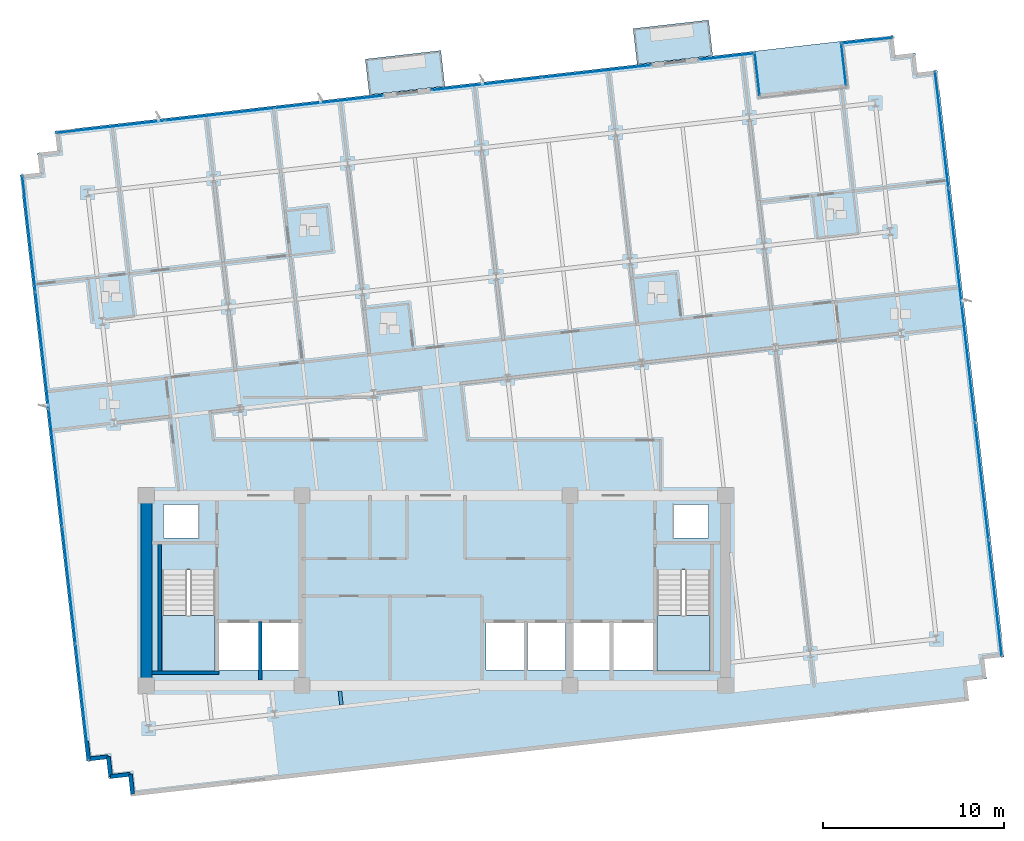
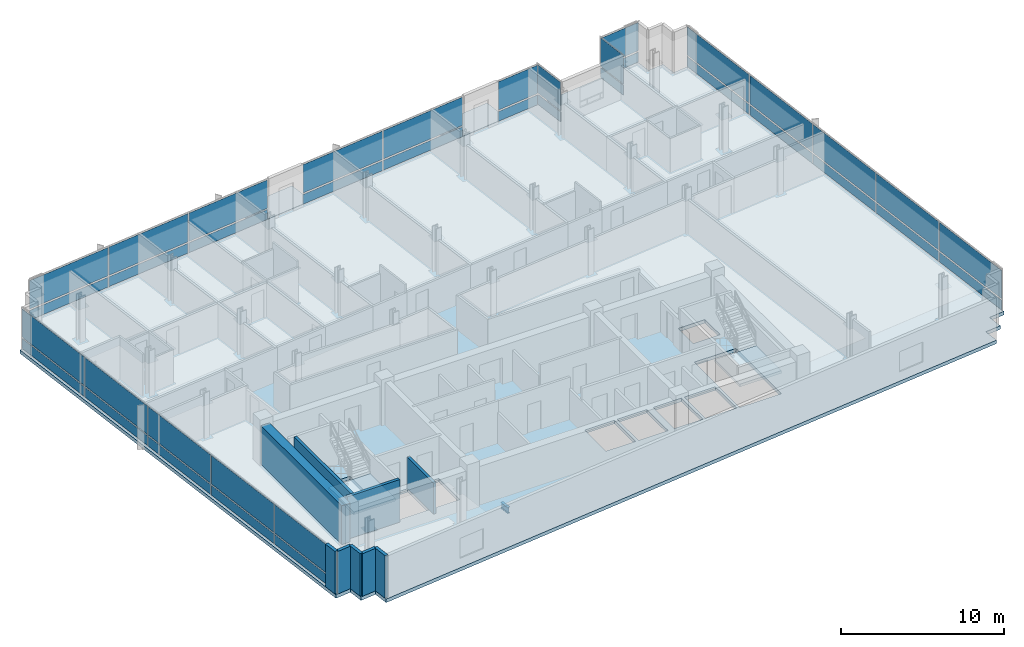
# One storey, part 8 of 16: 38 plates, 9 walls, 5 slabs, 1 beam, 10 elements without a shape of their own.
"""IFC4 building model written with IfcOpenShell, lengths in metres."""

from ifc_helpers import new_model, si_unit, direction, frame, frame_2d, origin, origin_2d, place, context, subcontext, project, spatial, polyline, rectangle, i_section, outline, extrude, material, layer, layer_set, material_profile, profile_set, type_object, element, aggregate, save


model = new_model("IFC4")

# Units and contexts
model_context = context("Model", 3, precision=1e-05, world=origin(), true_north=direction((0.0, 1.0)))
body_context = subcontext(model_context, "Body", "Model", "MODEL_VIEW")
ifc_project = project(units=[si_unit("LENGTHUNIT", "METRE"), si_unit("AREAUNIT", "SQUARE_METRE"), si_unit("VOLUMEUNIT", "CUBIC_METRE"), si_unit("PLANEANGLEUNIT", "RADIAN"), si_unit("MASSUNIT", "GRAM", prefix="KILO")], contexts=[model_context])

# Site, building, storey
site_placement = place(None, origin())
site = spatial("IfcSite", under=ifc_project, at=site_placement, CompositionType="ELEMENT")
building_placement = place(site_placement, origin())
building = spatial("IfcBuilding", under=site, at=building_placement, Name="Solmavex Isthmus Hotel", CompositionType="ELEMENT")
storey_placement = place(building_placement, frame((0.0, 0.0, 219.300048828125)))
storey = spatial("IfcBuildingStorey", under=building, at=storey_placement, Name="L59", CompositionType="ELEMENT", Elevation=219.300048828125)

# Beam
ifc_material_1 = material(Name="Steel ASTM A992 Grade 50", Category="steel")
ifc_material_profile = material_profile(ifc_material_1, i_section(OverallWidth=0.1904296875, OverallDepth=0.456787109375, WebThickness=0.009033203125, FlangeThickness=0.014404296875, FilletRadius=0.0126953125, at=origin_2d()), Name="W18X50")
ifc_profile_set = profile_set([ifc_material_profile], Name="Steel ASTM A992 Grade 50")
beam_type = type_object("IfcBeamType", Name="BM-BJ-W18X50", PredefinedType="JOIST", material=ifc_profile_set)
beam_placement = place(storey_placement, frame((-5.2236328125, -14.05419921875, -0.488525390625), z_axis=(-0.112902470797, 0.993606074905, 0.0), x_axis=(-0.993606074905, -0.112902470797, 0.0)))
element("IfcBeam", 1, at=beam_placement, inside=storey, type_object=beam_type, Name="Secondary Floor Joist L59-J05", PredefinedType="JOIST", context=body_context, shape_type="SweptSolid", body=[
    extrude(i_section(OverallWidth=0.1904296875, OverallDepth=0.456787109375, WebThickness=0.009033203125, FlangeThickness=0.014404296875, FilletRadius=0.0126953125, at=origin_2d()), origin(), (0.0, 0.0, 1.0), 0.759033203125),
])

# Curtain wall, plates
ifc_material_2 = material(Name="Aluminium alloy 6063-T6", Category="aluminium")
curtain_wall_type = type_object("IfcCurtainWallType", Name="CW-SYS-06", PredefinedType="NOTDEFINED", material=ifc_material_2)
curtain_wall_1_placement = place(storey_placement, origin())
curtain_wall_1 = element("IfcCurtainWall", 2, at=curtain_wall_1_placement, inside=storey, type_object=curtain_wall_type, Name="Stick Curtain Wall CWL-L59-SGW", PredefinedType="NOTDEFINED")
ifc_material_3 = material(Name="Clear low-E laminated glass", Category="glass")
ifc_layer_1 = layer(ifc_material_3, 0.028076171875)
ifc_layer_set_1 = layer_set([ifc_layer_1], Name="Clear low-E laminated glass")
plate_type = type_object("IfcPlateType", Name="CW-SYS-06-PNL", PredefinedType="CURTAIN_PANEL", material=ifc_layer_set_1)
plate_1_placement = place(storey_placement, frame((17.748046875, 20.795166015625, 0.114990234375), z_axis=(0.0, 0.0, 1.0), x_axis=(-0.113201551883, 0.993572045023, 0.0)))
plate_1 = element("IfcPlate", 3, at=plate_1_placement, type_object=plate_type, Name="CW-06 panel 1.1", PredefinedType="CURTAIN_PANEL", context=body_context, shape_type="SweptSolid", body=[
    extrude(rectangle(XDim=2.360107421875, YDim=0.028076171875, at=origin_2d()), origin(), (0.0, 0.0, 1.0), 0.7275390625),
])
plate_2_placement = place(storey_placement, frame((17.748046875, 20.795166015625, 0.95751953125), z_axis=(0.0, 0.0, 1.0), x_axis=(-0.113201551883, 0.993572045023, 0.0)))
plate_2 = element("IfcPlate", 4, at=plate_2_placement, type_object=plate_type, Name="CW-06 panel 1.2", PredefinedType="CURTAIN_PANEL", context=body_context, shape_type="SweptSolid", body=[
    extrude(rectangle(XDim=2.360107421875, YDim=0.028076171875, at=origin_2d()), origin(), (0.0, 0.0, 1.0), 2.117431640625),
])
aggregate(curtain_wall_1, [plate_1, plate_2])

curtain_wall_2_placement = place(storey_placement, origin())
curtain_wall_2 = element("IfcCurtainWall", 5, at=curtain_wall_2_placement, inside=storey, type_object=curtain_wall_type, Name="Stick Curtain Wall CWL-L59-SGE", PredefinedType="NOTDEFINED")
plate_3_placement = place(storey_placement, frame((22.517333984375, 21.338623046875, 0.114990234375), z_axis=(0.0, 0.0, 1.0), x_axis=(-0.113201551883, 0.993572045023, 0.0)))
plate_3 = element("IfcPlate", 6, at=plate_3_placement, type_object=plate_type, Name="CW-06 panel 1.1", PredefinedType="CURTAIN_PANEL", context=body_context, shape_type="SweptSolid", body=[
    extrude(rectangle(XDim=2.360107421875, YDim=0.028076171875, at=origin_2d()), origin(), (0.0, 0.0, 1.0), 0.7275390625),
])
plate_4_placement = place(storey_placement, frame((22.517333984375, 21.338623046875, 0.95751953125), z_axis=(0.0, 0.0, 1.0), x_axis=(-0.113201551883, 0.993572045023, 0.0)))
plate_4 = element("IfcPlate", 7, at=plate_4_placement, type_object=plate_type, Name="CW-06 panel 1.2", PredefinedType="CURTAIN_PANEL", context=body_context, shape_type="SweptSolid", body=[
    extrude(rectangle(XDim=2.360107421875, YDim=0.028076171875, at=origin_2d()), origin(), (0.0, 0.0, 1.0), 2.117431640625),
])
aggregate(curtain_wall_2, [plate_3, plate_4])

curtain_wall_3_placement = place(storey_placement, origin())
curtain_wall_3 = element("IfcCurtainWall", 8, at=curtain_wall_3_placement, inside=storey, type_object=curtain_wall_type, Name="Stick Curtain Wall CWL-L59-N1", PredefinedType="NOTDEFINED")
plate_5_placement = place(storey_placement, frame((-17.989501953125, 17.870849609375, 0.114990234375), z_axis=(0.0, 0.0, 1.0), x_axis=(0.993571885329, 0.113202953513, 0.0)))
plate_5 = element("IfcPlate", 9, at=plate_5_placement, type_object=plate_type, Name="CW-06 panel 1.1", PredefinedType="CURTAIN_PANEL", context=body_context, shape_type="SweptSolid", body=[
    extrude(rectangle(XDim=6.00244140625, YDim=0.028076171875, at=origin_2d()), origin(), (0.0, 0.0, 1.0), 0.7275390625),
])
plate_6_placement = place(storey_placement, frame((-17.989501953125, 17.870849609375, 0.95751953125), z_axis=(0.0, 0.0, 1.0), x_axis=(0.993571885329, 0.113202953513, 0.0)))
plate_6 = element("IfcPlate", 10, at=plate_6_placement, type_object=plate_type, Name="CW-06 panel 1.2", PredefinedType="CURTAIN_PANEL", context=body_context, shape_type="SweptSolid", body=[
    extrude(rectangle(XDim=6.00244140625, YDim=0.028076171875, at=origin_2d()), origin(), (0.0, 0.0, 1.0), 2.117431640625),
])
plate_7_placement = place(storey_placement, frame((-11.951171875, 18.558837890625, 0.114990234375), z_axis=(0.0, 0.0, 1.0), x_axis=(0.993571885329, 0.113202953513, 0.0)))
plate_7 = element("IfcPlate", 11, at=plate_7_placement, type_object=plate_type, Name="CW-06 panel 2.1", PredefinedType="CURTAIN_PANEL", context=body_context, shape_type="SweptSolid", body=[
    extrude(rectangle(XDim=6.0322265625, YDim=0.028076171875, at=origin_2d()), origin(), (0.0, 0.0, 1.0), 0.7275390625),
])
plate_8_placement = place(storey_placement, frame((-11.951171875, 18.558837890625, 0.95751953125), z_axis=(0.0, 0.0, 1.0), x_axis=(0.993571885329, 0.113202953513, 0.0)))
plate_8 = element("IfcPlate", 12, at=plate_8_placement, type_object=plate_type, Name="CW-06 panel 2.2", PredefinedType="CURTAIN_PANEL", context=body_context, shape_type="SweptSolid", body=[
    extrude(rectangle(XDim=6.0322265625, YDim=0.028076171875, at=origin_2d()), origin(), (0.0, 0.0, 1.0), 2.117431640625),
])
plate_9_placement = place(storey_placement, frame((-5.912841796875, 19.24658203125, 0.114990234375), z_axis=(0.0, 0.0, 1.0), x_axis=(0.993571885329, 0.113202953513, 0.0)))
plate_9 = element("IfcPlate", 13, at=plate_9_placement, type_object=plate_type, Name="CW-06 panel 3.1", PredefinedType="CURTAIN_PANEL", context=body_context, shape_type="SweptSolid", body=[
    extrude(rectangle(XDim=6.00244140625, YDim=0.028076171875, at=origin_2d()), origin(), (0.0, 0.0, 1.0), 0.7275390625),
])
plate_10_placement = place(storey_placement, frame((-5.912841796875, 19.24658203125, 0.95751953125), z_axis=(0.0, 0.0, 1.0), x_axis=(0.993571885329, 0.113202953513, 0.0)))
plate_10 = element("IfcPlate", 14, at=plate_10_placement, type_object=plate_type, Name="CW-06 panel 3.2", PredefinedType="CURTAIN_PANEL", context=body_context, shape_type="SweptSolid", body=[
    extrude(rectangle(XDim=6.00244140625, YDim=0.028076171875, at=origin_2d()), origin(), (0.0, 0.0, 1.0), 2.117431640625),
])
aggregate(curtain_wall_3, [plate_5, plate_6, plate_7, plate_8, plate_9, plate_10])

curtain_wall_4_placement = place(storey_placement, origin())
curtain_wall_4 = element("IfcCurtainWall", 15, at=curtain_wall_4_placement, inside=storey, type_object=curtain_wall_type, Name="Stick Curtain Wall CWL-L59-N2", PredefinedType="NOTDEFINED")
plate_11_placement = place(storey_placement, frame((2.780029296875, 20.237060546875, 0.114990234375), z_axis=(0.0, 0.0, 1.0), x_axis=(0.993571896348, 0.113202856801, 0.0)))
plate_11 = element("IfcPlate", 16, at=plate_11_placement, type_object=plate_type, Name="CW-06 panel 1.1", PredefinedType="CURTAIN_PANEL", context=body_context, shape_type="SweptSolid", body=[
    extrude(rectangle(XDim=6.055908203125, YDim=0.028076171875, at=origin_2d()), origin(), (0.0, 0.0, 1.0), 0.7275390625),
])
plate_12_placement = place(storey_placement, frame((2.780029296875, 20.237060546875, 0.95751953125), z_axis=(0.0, 0.0, 1.0), x_axis=(0.993571896348, 0.113202856801, 0.0)))
plate_12 = element("IfcPlate", 17, at=plate_12_placement, type_object=plate_type, Name="CW-06 panel 1.2", PredefinedType="CURTAIN_PANEL", context=body_context, shape_type="SweptSolid", body=[
    extrude(rectangle(XDim=6.055908203125, YDim=0.028076171875, at=origin_2d()), origin(), (0.0, 0.0, 1.0), 2.117431640625),
])
plate_13_placement = place(storey_placement, frame((8.856689453125, 20.929443359375, 0.114990234375), z_axis=(0.0, 0.0, 1.0), x_axis=(0.993571896348, 0.113202856801, 0.0)))
plate_13 = element("IfcPlate", 18, at=plate_13_placement, type_object=plate_type, Name="CW-06 panel 2.1", PredefinedType="CURTAIN_PANEL", context=body_context, shape_type="SweptSolid", body=[
    extrude(rectangle(XDim=6.055908203125, YDim=0.028076171875, at=origin_2d()), origin(), (0.0, 0.0, 1.0), 0.7275390625),
])
plate_14_placement = place(storey_placement, frame((8.856689453125, 20.929443359375, 0.95751953125), z_axis=(0.0, 0.0, 1.0), x_axis=(0.993571896348, 0.113202856801, 0.0)))
plate_14 = element("IfcPlate", 19, at=plate_14_placement, type_object=plate_type, Name="CW-06 panel 2.2", PredefinedType="CURTAIN_PANEL", context=body_context, shape_type="SweptSolid", body=[
    extrude(rectangle(XDim=6.055908203125, YDim=0.028076171875, at=origin_2d()), origin(), (0.0, 0.0, 1.0), 2.117431640625),
])
aggregate(curtain_wall_4, [plate_11, plate_12, plate_13, plate_14])

curtain_wall_5_placement = place(storey_placement, origin())
curtain_wall_5 = element("IfcCurtainWall", 20, at=curtain_wall_5_placement, inside=storey, type_object=curtain_wall_type, Name="Stick Curtain Wall CWL-L59-N3", PredefinedType="NOTDEFINED")
plate_15_placement = place(storey_placement, frame((16.063720703125, 21.75048828125, 0.114990234375), z_axis=(0.0, 0.0, 1.0), x_axis=(0.993571855862, 0.113203212138, 0.0)))
plate_15 = element("IfcPlate", 21, at=plate_15_placement, type_object=plate_type, Name="CW-06 panel 1.1", PredefinedType="CURTAIN_PANEL", context=body_context, shape_type="SweptSolid", body=[
    extrude(rectangle(XDim=3.010986328125, YDim=0.028076171875, at=origin_2d()), origin(), (0.0, 0.0, 1.0), 0.7275390625),
])
plate_16_placement = place(storey_placement, frame((16.063720703125, 21.75048828125, 0.95751953125), z_axis=(0.0, 0.0, 1.0), x_axis=(0.993571855862, 0.113203212138, 0.0)))
plate_16 = element("IfcPlate", 22, at=plate_16_placement, type_object=plate_type, Name="CW-06 panel 1.2", PredefinedType="CURTAIN_PANEL", context=body_context, shape_type="SweptSolid", body=[
    extrude(rectangle(XDim=3.010986328125, YDim=0.028076171875, at=origin_2d()), origin(), (0.0, 0.0, 1.0), 2.117431640625),
])
aggregate(curtain_wall_5, [plate_15, plate_16])

curtain_wall_6_placement = place(storey_placement, origin())
curtain_wall_6 = element("IfcCurtainWall", 23, at=curtain_wall_6_placement, inside=storey, type_object=curtain_wall_type, Name="Stick Curtain Wall CWL-L59-N4", PredefinedType="NOTDEFINED")
plate_17_placement = place(storey_placement, frame((23.828857421875, 22.63525390625, 0.114990234375), z_axis=(0.0, 0.0, 1.0), x_axis=(0.993571836452, 0.113203382497, 0.0)))
plate_17 = element("IfcPlate", 24, at=plate_17_placement, type_object=plate_type, Name="CW-06 panel 1.1", PredefinedType="CURTAIN_PANEL", context=body_context, shape_type="SweptSolid", body=[
    extrude(rectangle(XDim=2.780029296875, YDim=0.028076171875, at=origin_2d()), origin(), (0.0, 0.0, 1.0), 0.7275390625),
])
plate_18_placement = place(storey_placement, frame((23.828857421875, 22.63525390625, 0.95751953125), z_axis=(0.0, 0.0, 1.0), x_axis=(0.993571836452, 0.113203382497, 0.0)))
plate_18 = element("IfcPlate", 25, at=plate_18_placement, type_object=plate_type, Name="CW-06 panel 1.2", PredefinedType="CURTAIN_PANEL", context=body_context, shape_type="SweptSolid", body=[
    extrude(rectangle(XDim=2.780029296875, YDim=0.028076171875, at=origin_2d()), origin(), (0.0, 0.0, 1.0), 2.117431640625),
])
aggregate(curtain_wall_6, [plate_17, plate_18])

curtain_wall_7_placement = place(storey_placement, origin())
curtain_wall_7 = element("IfcCurtainWall", 26, at=curtain_wall_7_placement, inside=storey, type_object=curtain_wall_type, Name="Stick Curtain Wall CWL-L59-W1", PredefinedType="NOTDEFINED")
plate_19_placement = place(storey_placement, frame((-19.54248046875, -13.914306640625, 0.114990234375), z_axis=(0.0, 0.0, 1.0), x_axis=(-0.11320338078, 0.993571836648, 0.0)))
plate_19 = element("IfcPlate", 27, at=plate_19_placement, type_object=plate_type, Name="CW-06 panel 1.1", PredefinedType="CURTAIN_PANEL", context=body_context, shape_type="SweptSolid", body=[
    extrude(rectangle(XDim=6.429931640625, YDim=0.028076171875, at=origin_2d()), origin(), (0.0, 0.0, 1.0), 0.7275390625),
])
plate_20_placement = place(storey_placement, frame((-19.54248046875, -13.914306640625, 0.95751953125), z_axis=(0.0, 0.0, 1.0), x_axis=(-0.11320338078, 0.993571836648, 0.0)))
plate_20 = element("IfcPlate", 28, at=plate_20_placement, type_object=plate_type, Name="CW-06 panel 1.2", PredefinedType="CURTAIN_PANEL", context=body_context, shape_type="SweptSolid", body=[
    extrude(rectangle(XDim=6.429931640625, YDim=0.028076171875, at=origin_2d()), origin(), (0.0, 0.0, 1.0), 2.117431640625),
])
plate_21_placement = place(storey_placement, frame((-20.27880859375, -7.451171875, 0.114990234375), z_axis=(0.0, 0.0, 1.0), x_axis=(-0.11320338078, 0.993571836648, 0.0)))
plate_21 = element("IfcPlate", 29, at=plate_21_placement, type_object=plate_type, Name="CW-06 panel 2.1", PredefinedType="CURTAIN_PANEL", context=body_context, shape_type="SweptSolid", body=[
    extrude(rectangle(XDim=6.4599609375, YDim=0.028076171875, at=origin_2d()), origin(), (0.0, 0.0, 1.0), 0.7275390625),
])
plate_22_placement = place(storey_placement, frame((-20.27880859375, -7.451171875, 0.95751953125), z_axis=(0.0, 0.0, 1.0), x_axis=(-0.11320338078, 0.993571836648, 0.0)))
plate_22 = element("IfcPlate", 30, at=plate_22_placement, type_object=plate_type, Name="CW-06 panel 2.2", PredefinedType="CURTAIN_PANEL", context=body_context, shape_type="SweptSolid", body=[
    extrude(rectangle(XDim=6.4599609375, YDim=0.028076171875, at=origin_2d()), origin(), (0.0, 0.0, 1.0), 2.117431640625),
])
plate_23_placement = place(storey_placement, frame((-21.016845703125, -0.97314453125, 0.114990234375), z_axis=(0.0, 0.0, 1.0), x_axis=(-0.11320338078, 0.993571836648, 0.0)))
plate_23 = element("IfcPlate", 31, at=plate_23_placement, type_object=plate_type, Name="CW-06 panel 3.1", PredefinedType="CURTAIN_PANEL", context=body_context, shape_type="SweptSolid", body=[
    extrude(rectangle(XDim=6.4599609375, YDim=0.028076171875, at=origin_2d()), origin(), (0.0, 0.0, 1.0), 0.7275390625),
])
plate_24_placement = place(storey_placement, frame((-21.016845703125, -0.97314453125, 0.95751953125), z_axis=(0.0, 0.0, 1.0), x_axis=(-0.11320338078, 0.993571836648, 0.0)))
plate_24 = element("IfcPlate", 32, at=plate_24_placement, type_object=plate_type, Name="CW-06 panel 3.2", PredefinedType="CURTAIN_PANEL", context=body_context, shape_type="SweptSolid", body=[
    extrude(rectangle(XDim=6.4599609375, YDim=0.028076171875, at=origin_2d()), origin(), (0.0, 0.0, 1.0), 2.117431640625),
])
plate_25_placement = place(storey_placement, frame((-21.7548828125, 5.5048828125, 0.114990234375), z_axis=(0.0, 0.0, 1.0), x_axis=(-0.11320338078, 0.993571836648, 0.0)))
plate_25 = element("IfcPlate", 33, at=plate_25_placement, type_object=plate_type, Name="CW-06 panel 4.1", PredefinedType="CURTAIN_PANEL", context=body_context, shape_type="SweptSolid", body=[
    extrude(rectangle(XDim=6.4599609375, YDim=0.028076171875, at=origin_2d()), origin(), (0.0, 0.0, 1.0), 0.7275390625),
])
plate_26_placement = place(storey_placement, frame((-21.7548828125, 5.5048828125, 0.95751953125), z_axis=(0.0, 0.0, 1.0), x_axis=(-0.11320338078, 0.993571836648, 0.0)))
plate_26 = element("IfcPlate", 34, at=plate_26_placement, type_object=plate_type, Name="CW-06 panel 4.2", PredefinedType="CURTAIN_PANEL", context=body_context, shape_type="SweptSolid", body=[
    extrude(rectangle(XDim=6.4599609375, YDim=0.028076171875, at=origin_2d()), origin(), (0.0, 0.0, 1.0), 2.117431640625),
])
plate_27_placement = place(storey_placement, frame((-22.4912109375, 11.96826171875, 0.114990234375), z_axis=(0.0, 0.0, 1.0), x_axis=(-0.11320338078, 0.993571836648, 0.0)))
plate_27 = element("IfcPlate", 35, at=plate_27_placement, type_object=plate_type, Name="CW-06 panel 5.1", PredefinedType="CURTAIN_PANEL", context=body_context, shape_type="SweptSolid", body=[
    extrude(rectangle(XDim=6.429931640625, YDim=0.028076171875, at=origin_2d()), origin(), (0.0, 0.0, 1.0), 0.7275390625),
])
plate_28_placement = place(storey_placement, frame((-22.4912109375, 11.96826171875, 0.95751953125), z_axis=(0.0, 0.0, 1.0), x_axis=(-0.11320338078, 0.993571836648, 0.0)))
plate_28 = element("IfcPlate", 36, at=plate_28_placement, type_object=plate_type, Name="CW-06 panel 5.2", PredefinedType="CURTAIN_PANEL", context=body_context, shape_type="SweptSolid", body=[
    extrude(rectangle(XDim=6.429931640625, YDim=0.028076171875, at=origin_2d()), origin(), (0.0, 0.0, 1.0), 2.117431640625),
])
aggregate(curtain_wall_7, [plate_19, plate_20, plate_21, plate_22, plate_23, plate_24, plate_25, plate_26, plate_27, plate_28])

curtain_wall_8_placement = place(storey_placement, origin())
curtain_wall_8 = element("IfcCurtainWall", 37, at=curtain_wall_8_placement, inside=storey, type_object=curtain_wall_type, Name="Stick Curtain Wall CWL-L59-E1", PredefinedType="NOTDEFINED")
plate_29_placement = place(storey_placement, frame((30.891357421875, -8.168212890625, 0.114990234375), z_axis=(0.0, 0.0, 1.0), x_axis=(-0.11320338078, 0.993571836648, 0.0)))
plate_29 = element("IfcPlate", 38, at=plate_29_placement, type_object=plate_type, Name="CW-06 panel 1.1", PredefinedType="CURTAIN_PANEL", context=body_context, shape_type="SweptSolid", body=[
    extrude(rectangle(XDim=6.429931640625, YDim=0.028076171875, at=origin_2d()), origin(), (0.0, 0.0, 1.0), 0.7275390625),
])
plate_30_placement = place(storey_placement, frame((30.891357421875, -8.168212890625, 0.95751953125), z_axis=(0.0, 0.0, 1.0), x_axis=(-0.11320338078, 0.993571836648, 0.0)))
plate_30 = element("IfcPlate", 39, at=plate_30_placement, type_object=plate_type, Name="CW-06 panel 1.2", PredefinedType="CURTAIN_PANEL", context=body_context, shape_type="SweptSolid", body=[
    extrude(rectangle(XDim=6.429931640625, YDim=0.028076171875, at=origin_2d()), origin(), (0.0, 0.0, 1.0), 2.117431640625),
])
plate_31_placement = place(storey_placement, frame((30.155029296875, -1.705078125, 0.114990234375), z_axis=(0.0, 0.0, 1.0), x_axis=(-0.11320338078, 0.993571836648, 0.0)))
plate_31 = element("IfcPlate", 40, at=plate_31_placement, type_object=plate_type, Name="CW-06 panel 2.1", PredefinedType="CURTAIN_PANEL", context=body_context, shape_type="SweptSolid", body=[
    extrude(rectangle(XDim=6.4599609375, YDim=0.028076171875, at=origin_2d()), origin(), (0.0, 0.0, 1.0), 0.7275390625),
])
plate_32_placement = place(storey_placement, frame((30.155029296875, -1.705078125, 0.95751953125), z_axis=(0.0, 0.0, 1.0), x_axis=(-0.11320338078, 0.993571836648, 0.0)))
plate_32 = element("IfcPlate", 41, at=plate_32_placement, type_object=plate_type, Name="CW-06 panel 2.2", PredefinedType="CURTAIN_PANEL", context=body_context, shape_type="SweptSolid", body=[
    extrude(rectangle(XDim=6.4599609375, YDim=0.028076171875, at=origin_2d()), origin(), (0.0, 0.0, 1.0), 2.117431640625),
])
plate_33_placement = place(storey_placement, frame((29.416748046875, 4.773193359375, 0.114990234375), z_axis=(0.0, 0.0, 1.0), x_axis=(-0.11320338078, 0.993571836648, 0.0)))
plate_33 = element("IfcPlate", 42, at=plate_33_placement, type_object=plate_type, Name="CW-06 panel 3.1", PredefinedType="CURTAIN_PANEL", context=body_context, shape_type="SweptSolid", body=[
    extrude(rectangle(XDim=6.4599609375, YDim=0.028076171875, at=origin_2d()), origin(), (0.0, 0.0, 1.0), 0.7275390625),
])
plate_34_placement = place(storey_placement, frame((29.416748046875, 4.773193359375, 0.95751953125), z_axis=(0.0, 0.0, 1.0), x_axis=(-0.11320338078, 0.993571836648, 0.0)))
plate_34 = element("IfcPlate", 43, at=plate_34_placement, type_object=plate_type, Name="CW-06 panel 3.2", PredefinedType="CURTAIN_PANEL", context=body_context, shape_type="SweptSolid", body=[
    extrude(rectangle(XDim=6.4599609375, YDim=0.028076171875, at=origin_2d()), origin(), (0.0, 0.0, 1.0), 2.117431640625),
])
plate_35_placement = place(storey_placement, frame((28.6787109375, 11.251220703125, 0.114990234375), z_axis=(0.0, 0.0, 1.0), x_axis=(-0.11320338078, 0.993571836648, 0.0)))
plate_35 = element("IfcPlate", 44, at=plate_35_placement, type_object=plate_type, Name="CW-06 panel 4.1", PredefinedType="CURTAIN_PANEL", context=body_context, shape_type="SweptSolid", body=[
    extrude(rectangle(XDim=6.4599609375, YDim=0.028076171875, at=origin_2d()), origin(), (0.0, 0.0, 1.0), 0.7275390625),
])
plate_36_placement = place(storey_placement, frame((28.6787109375, 11.251220703125, 0.95751953125), z_axis=(0.0, 0.0, 1.0), x_axis=(-0.11320338078, 0.993571836648, 0.0)))
plate_36 = element("IfcPlate", 45, at=plate_36_placement, type_object=plate_type, Name="CW-06 panel 4.2", PredefinedType="CURTAIN_PANEL", context=body_context, shape_type="SweptSolid", body=[
    extrude(rectangle(XDim=6.4599609375, YDim=0.028076171875, at=origin_2d()), origin(), (0.0, 0.0, 1.0), 2.117431640625),
])
plate_37_placement = place(storey_placement, frame((27.9423828125, 17.71435546875, 0.114990234375), z_axis=(0.0, 0.0, 1.0), x_axis=(-0.11320338078, 0.993571836648, 0.0)))
plate_37 = element("IfcPlate", 46, at=plate_37_placement, type_object=plate_type, Name="CW-06 panel 5.1", PredefinedType="CURTAIN_PANEL", context=body_context, shape_type="SweptSolid", body=[
    extrude(rectangle(XDim=6.429931640625, YDim=0.028076171875, at=origin_2d()), origin(), (0.0, 0.0, 1.0), 0.7275390625),
])
plate_38_placement = place(storey_placement, frame((27.9423828125, 17.71435546875, 0.95751953125), z_axis=(0.0, 0.0, 1.0), x_axis=(-0.11320338078, 0.993571836648, 0.0)))
plate_38 = element("IfcPlate", 47, at=plate_38_placement, type_object=plate_type, Name="CW-06 panel 5.2", PredefinedType="CURTAIN_PANEL", context=body_context, shape_type="SweptSolid", body=[
    extrude(rectangle(XDim=6.429931640625, YDim=0.028076171875, at=origin_2d()), origin(), (0.0, 0.0, 1.0), 2.117431640625),
])
aggregate(curtain_wall_8, [plate_29, plate_30, plate_31, plate_32, plate_33, plate_34, plate_35, plate_36, plate_37, plate_38])

# Slabs
ifc_material_4 = material(Name="Concrete C40/50", Category="concrete")
ifc_layer_2 = layer(ifc_material_4, 0.239990234375)
ifc_layer_set_2 = layer_set([ifc_layer_2], Name="Concrete C40/50")
slab_type_1 = type_object("IfcSlabType", Name="SLAB-BALC-240", PredefinedType="FLOOR", material=ifc_layer_set_2)
slab_1_placement = place(storey_placement, frame((0.0, 0.0, -0.239990234375)))
element("IfcSlab", 48, at=slab_1_placement, inside=storey, type_object=slab_type_1, Name="Tree-Planter Balcony Slab L59-B1", PredefinedType="FLOOR", context=body_context, shape_type="SweptSolid", body=[
    extrude(outline(polyline([(-3.681640625, 19.63671875), (0.491455078125, 20.1123046875), (0.266845703125, 22.08447265625), (-3.90625, 21.609130859375), (-3.681640625, 19.63671875)])), origin(), (0.0, 0.0, 1.0), 0.239990234375),
])
slab_2_placement = place(storey_placement, frame((0.0, 0.0, -0.239990234375)))
element("IfcSlab", 49, at=slab_2_placement, inside=storey, type_object=slab_type_1, Name="Tree-Planter Balcony Slab L59-B2", PredefinedType="FLOOR", context=body_context, shape_type="SweptSolid", body=[
    extrude(outline(polyline([(11.11474609375, 21.322509765625), (15.287841796875, 21.798095703125), (15.06298828125, 23.770263671875), (10.89013671875, 23.294921875), (11.11474609375, 21.322509765625)])), origin(), (0.0, 0.0, 1.0), 0.239990234375),
])
ifc_layer_3 = layer(ifc_material_4, 0.260009765625)
ifc_layer_set_3 = layer_set([ifc_layer_3], Name="Concrete C40/50")
slab_type_2 = type_object("IfcSlabType", Name="SLAB-TYP-260", PredefinedType="FLOOR", material=ifc_layer_set_3)
slab_3_placement = place(storey_placement, frame((0.0, 0.0, -0.260009765625)))
element("IfcSlab", 50, at=slab_3_placement, inside=storey, type_object=slab_type_2, Name="Tower Structural Floor Slab L59", PredefinedType="FLOOR", context=body_context, shape_type="SweptSolid", body=[
    extrude(outline(polyline([(-15.762939453125, -18.994140625), (28.3515625, -13.968017578125), (29.444580078125, -13.843505859375), (29.320068359375, -12.75048828125), (30.412841796875, -12.6259765625), (30.288330078125, -11.532958984375), (31.38134765625, -11.408447265625), (31.2568359375, -10.315673828125), (27.8154296875, 19.888916015625), (27.69091796875, 20.98193359375), (26.597900390625, 20.857421875), (26.473388671875, 21.9501953125), (25.38037109375, 21.82568359375), (25.255859375, 22.918701171875), (24.1630859375, 22.794189453125), (-19.95166015625, 17.76806640625), (-21.04443359375, 17.6435546875), (-20.919921875, 16.550537109375), (-22.012939453125, 16.426025390625), (-21.888427734375, 15.3330078125), (-22.981201171875, 15.20849609375), (-22.856689453125, 14.11572265625), (-19.415283203125, -16.0888671875), (-19.290771484375, -17.181884765625), (-18.197998046875, -17.057373046875), (-18.073486328125, -18.150390625), (-16.98046875, -18.02587890625), (-16.85595703125, -19.11865234375), (-15.762939453125, -18.994140625)]), holes=[polyline([(-15.14990234375, -6.617919921875), (-15.14990234375, -12.199951171875), (-12.199951171875, -12.199951171875), (-12.199951171875, -6.617919921875), (-15.14990234375, -6.617919921875)]), polyline([(12.199951171875, -6.617919921875), (12.199951171875, -12.199951171875), (15.14990234375, -12.199951171875), (15.14990234375, -6.617919921875), (12.199951171875, -6.617919921875)]), polyline([(-12.0, -12.14990234375), (-9.800048828125, -12.14990234375), (-9.800048828125, -9.550048828125), (-12.0, -9.550048828125), (-12.0, -12.14990234375)]), polyline([(9.800048828125, -12.14990234375), (12.0, -12.14990234375), (12.0, -9.550048828125), (9.800048828125, -9.550048828125), (9.800048828125, -12.14990234375)]), polyline([(-9.60009765625, -12.14990234375), (-7.60009765625, -12.14990234375), (-7.60009765625, -9.550048828125), (-9.60009765625, -9.550048828125), (-9.60009765625, -12.14990234375)]), polyline([(7.60009765625, -12.14990234375), (9.60009765625, -12.14990234375), (9.60009765625, -9.550048828125), (7.60009765625, -9.550048828125), (7.60009765625, -12.14990234375)]), polyline([(2.75, -12.14990234375), (4.85009765625, -12.14990234375), (4.85009765625, -9.550048828125), (2.75, -9.550048828125), (2.75, -12.14990234375)]), polyline([(5.050048828125, -12.14990234375), (7.14990234375, -12.14990234375), (7.14990234375, -9.550048828125), (5.050048828125, -9.550048828125), (5.050048828125, -12.14990234375)]), polyline([(-15.050048828125, -4.85009765625), (-13.14990234375, -4.85009765625), (-13.14990234375, -3.0), (-15.050048828125, -3.0), (-15.050048828125, -4.85009765625)]), polyline([(13.14990234375, -4.85009765625), (15.050048828125, -4.85009765625), (15.050048828125, -3.0), (13.14990234375, -3.0), (13.14990234375, -4.85009765625)])]), origin(), (0.0, 0.0, 1.0), 0.260009765625),
])

# Stair, slab
stair_type_1 = type_object("IfcStairType", Name="STR-ST-1", PredefinedType="HALF_TURN_STAIR", material=ifc_material_4)
stair_1_placement = place(storey_placement, origin())
stair_1 = element("IfcStair", 51, at=stair_1_placement, inside=storey, type_object=stair_type_1, Name="L59 Protected Exit Stair ST-1", PredefinedType="HALF_TURN_STAIR")
ifc_layer_4 = layer(ifc_material_4, 0.219970703125)
ifc_layer_set_4 = layer_set([ifc_layer_4], Name="Concrete C40/50")
slab_type_3 = type_object("IfcSlabType", Name="SLD-ST-1", PredefinedType="LANDING", material=ifc_layer_set_4)
slab_4_placement = place(storey_placement, frame((0.0, 0.0, 1.52490234375)))
slab_4 = element("IfcSlab", 52, at=slab_4_placement, type_object=slab_type_3, Name="ST-1 landing 1", PredefinedType="LANDING", context=body_context, shape_type="SweptSolid", body=[
    extrude(outline(polyline([(-15.14990234375, -9.1201171875), (-15.14990234375, -12.199951171875), (-12.199951171875, -12.199951171875), (-12.199951171875, -9.1201171875), (-15.14990234375, -9.1201171875)])), origin(), (0.0, 0.0, 1.0), 0.199951171875),
])
aggregate(stair_1, [slab_4])

stair_type_2 = type_object("IfcStairType", Name="STR-ST-2", PredefinedType="HALF_TURN_STAIR", material=ifc_material_4)
stair_2_placement = place(storey_placement, origin())
stair_2 = element("IfcStair", 53, at=stair_2_placement, inside=storey, type_object=stair_type_2, Name="L59 Protected Exit Stair ST-2", PredefinedType="HALF_TURN_STAIR")
ifc_layer_5 = layer(ifc_material_4, 0.219970703125)
ifc_layer_set_5 = layer_set([ifc_layer_5], Name="Concrete C40/50")
slab_type_4 = type_object("IfcSlabType", Name="SLD-ST-2", PredefinedType="LANDING", material=ifc_layer_set_5)
slab_5_placement = place(storey_placement, frame((0.0, 0.0, 1.52490234375)))
slab_5 = element("IfcSlab", 54, at=slab_5_placement, type_object=slab_type_4, Name="ST-2 landing 1", PredefinedType="LANDING", context=body_context, shape_type="SweptSolid", body=[
    extrude(outline(polyline([(12.199951171875, -9.1201171875), (12.199951171875, -12.199951171875), (15.14990234375, -12.199951171875), (15.14990234375, -9.1201171875), (12.199951171875, -9.1201171875)])), origin(), (0.0, 0.0, 1.0), 0.199951171875),
])
aggregate(stair_2, [slab_5])

# Walls
ifc_material_5 = material(Name="Precast Concrete C40/50", Category="concrete")
ifc_layer_6 = layer(ifc_material_5, 0.25)
ifc_layer_set_6 = layer_set([ifc_layer_6], Name="Precast Concrete C40/50")
wall_type_1 = type_object("IfcWallType", Name="EW-TWR-250", PredefinedType="STANDARD", material=ifc_layer_set_6)
for number, where, z_axis, x_axis, name in (
    (55, (-16.759033203125, -18.9970703125, 0.0), (0.0, 0.0, 1.0), (-0.113183557839, 0.99357409499, 0.0), "Serrated Corner Facade Panel L59-01"),
    (56, (-16.883544921875, -17.904052734375, 0.0), (0.0, 0.0, 1.0), (-0.99357409499, -0.113183557839, 0.0), "Serrated Corner Facade Panel L59-02"),
    (57, (-17.9765625, -18.028564453125, 0.0), (0.0, 0.0, 1.0), (-0.113183557839, 0.99357409499, 0.0), "Serrated Corner Facade Panel L59-03"),
    (58, (-18.10107421875, -16.935546875, 0.0), (0.0, 0.0, 1.0), (-0.99357409499, -0.113183557839, 0.0), "Serrated Corner Facade Panel L59-04"),
):
    element("IfcWall", number, at=place(storey_placement, frame(where, z_axis=z_axis, x_axis=x_axis)), inside=storey, type_object=wall_type_1, Name=name, PredefinedType="STANDARD", context=body_context, shape_type="SweptSolid", body=[
        extrude(rectangle(XDim=1.10009765625, YDim=0.219970703125, at=frame_2d((0.550048828125, 0.0))), origin(), (0.0, 0.0, 1.0), 3.18994140625),
    ])
wall_1_placement = place(storey_placement, frame((-19.194091796875, -17.06005859375, 0.0), z_axis=(0.0, 0.0, 1.0), x_axis=(-0.113191877531, 0.993573147212, 0.0)))
element("IfcWall", 59, at=wall_1_placement, inside=storey, type_object=wall_type_1, Name="Serrated Corner Facade Panel L59-05", PredefinedType="STANDARD", context=body_context, shape_type="SweptSolid", body=[
    extrude(rectangle(XDim=0.989990234375, YDim=0.219970703125, at=frame_2d((0.4951171875, 0.0))), origin(), (0.0, 0.0, 1.0), 3.18994140625),
])
ifc_layer_7 = layer(ifc_material_4, 0.199951171875)
ifc_layer_set_7 = layer_set([ifc_layer_7], Name="Concrete C40/50")
wall_type_2 = type_object("IfcWallType", Name="IW-SHAFT-200", PredefinedType="PARTITIONING", material=ifc_layer_set_7)
wall_2_placement = place(storey_placement, frame((-9.699951171875, -12.699951171875, 0.0), z_axis=(0.0, 0.0, 1.0), x_axis=(0.0, 1.0, 0.0)))
element("IfcWall", 60, at=wall_2_placement, inside=storey, type_object=wall_type_2, Name="Interior Partition Wall W-L59-FFLW-M", PredefinedType="PARTITIONING", context=body_context, shape_type="SweptSolid", body=[
    extrude(rectangle(XDim=3.25, YDim=0.199951171875, at=frame_2d((1.625, 0.0))), origin(), (0.0, 0.0, 1.0), 2.324951171875),
])
ifc_material_6 = material(Name="Concrete C50/60", Category="concrete")
ifc_layer_8 = layer(ifc_material_6, 0.60009765625)
ifc_layer_set_8 = layer_set([ifc_layer_8], Name="Concrete C50/60")
wall_type_3 = type_object("IfcWallType", Name="WALL-CW-600", PredefinedType="SHEAR", material=ifc_layer_set_8)
wall_3_placement = place(storey_placement, frame((-16.0, -12.699951171875, 0.0), z_axis=(0.0, 0.0, 1.0), x_axis=(0.0, 1.0, 0.0)))
element("IfcWall", 61, at=wall_3_placement, inside=storey, type_object=wall_type_3, Name="Core Shear Wall West L59", PredefinedType="SHEAR", context=body_context, shape_type="SweptSolid", body=[
    extrude(rectangle(XDim=9.89990234375, YDim=0.60009765625, at=frame_2d((4.949951171875, 0.0))), origin(), (0.0, 0.0, 1.0), 2.909912109375),
])
ifc_layer_9 = layer(ifc_material_4, 0.199951171875)
ifc_layer_set_9 = layer_set([ifc_layer_9], Name="Concrete C40/50")
wall_type_4 = type_object("IfcWallType", Name="WALL-SW-200", PredefinedType="SOLIDWALL", material=ifc_layer_set_9)
wall_4_placement = place(storey_placement, frame((-15.699951171875, -12.300048828125, 0.0), z_axis=(0.0, 0.0, 1.0), x_axis=(1.0, 0.0, 0.0)))
element("IfcWall", 62, at=wall_4_placement, inside=storey, type_object=wall_type_4, Name="Stairwell Structural Wall SW-L59-ST1-S", PredefinedType="SOLIDWALL", context=body_context, shape_type="SweptSolid", body=[
    extrude(rectangle(XDim=3.699951171875, YDim=0.199951171875, at=frame_2d((1.85009765625, 0.0))), origin(), (0.0, 0.0, 1.0), 3.18994140625),
])
wall_5_placement = place(storey_placement, frame((-15.25, -12.199951171875, 0.0), z_axis=(0.0, 0.0, 1.0), x_axis=(0.0, 1.0, 0.0)))
element("IfcWall", 63, at=wall_5_placement, inside=storey, type_object=wall_type_4, Name="Stairwell Structural Wall SW-L59-ST1-W", PredefinedType="SOLIDWALL", context=body_context, shape_type="SweptSolid", body=[
    extrude(rectangle(XDim=7.0, YDim=0.199951171875, at=frame_2d((3.5, 0.0))), origin(), (0.0, 0.0, 1.0), 3.18994140625),
])

save(model, "model.ifc")
